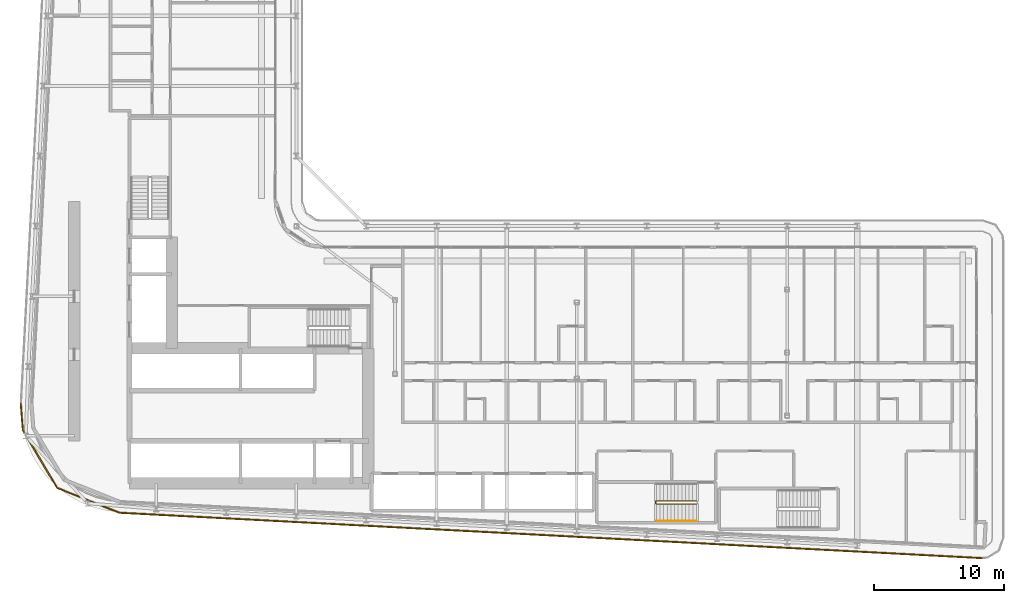
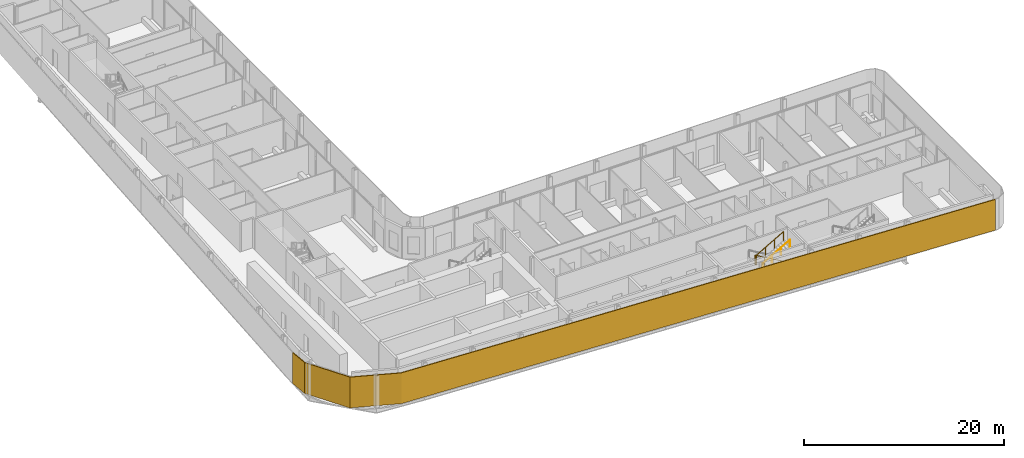
# One storey, part 24 of 28: 2 railings, 1 shading device.
"""IFC4 building model written with IfcOpenShell, lengths in metres."""

from ifc_helpers import new_model, si_unit, direction, frame, origin, origin_2d, place, context, subcontext, project, spatial, polyline, circle, outline, extrude, material, layer, layer_set, type_object, element, save


model = new_model("IFC4")

# Units and contexts
model_context = context("Model", 3, precision=1e-05, world=origin(), true_north=direction((0.0, 1.0)))
body_context = subcontext(model_context, "Body", "Model", "MODEL_VIEW")
ifc_project = project(units=[si_unit("LENGTHUNIT", "METRE"), si_unit("AREAUNIT", "SQUARE_METRE"), si_unit("VOLUMEUNIT", "CUBIC_METRE"), si_unit("PLANEANGLEUNIT", "RADIAN"), si_unit("MASSUNIT", "GRAM", prefix="KILO")], contexts=[model_context])

# Site, building, storey
site_placement = place(None, origin())
site = spatial("IfcSite", under=ifc_project, at=site_placement, CompositionType="ELEMENT")
building_placement = place(site_placement, origin())
building = spatial("IfcBuilding", under=site, at=building_placement, Name="Kheshtan School and Residences Tower", CompositionType="ELEMENT")
storey_placement = place(building_placement, frame((0.0, 0.0, 140.89990234375)))
storey = spatial("IfcBuildingStorey", under=building, at=storey_placement, Name="L33", CompositionType="ELEMENT", Elevation=140.89990234375)

# Shading device
ifc_material_1 = material(Name="Terracotta baguette, extruded ceramic", Category="masonry")
ifc_layer = layer(ifc_material_1, 0.10009765625)
ifc_layer_set = layer_set([ifc_layer], Name="Ledge screen, terracotta baguettes")
shading_device_type = type_object("IfcShadingDeviceType", Name="Ledge screen, terracotta baguettes", PredefinedType="USERDEFINED", material=ifc_layer_set)
shading_device_placement = place(storey_placement, origin())
element("IfcShadingDevice", 1, at=shading_device_placement, inside=storey, type_object=shading_device_type, Name="Screen L33 3", ObjectType="BAGUETTE", PredefinedType="USERDEFINED", context=body_context, shape_type="SweptSolid", body=[
    extrude(outline(polyline([(100.4208984375, 20.0830078125), (33.989013671875, 23.580078125), (29.2119140625, 25.486083984375), (26.583984375, 29.906982421875), (26.419921875, 31.989013671875), (26.320068359375, 31.98095703125), (26.486083984375, 29.8759765625), (29.14306640625, 25.406005859375), (33.967041015625, 23.48095703125), (100.416015625, 19.98291015625), (100.4208984375, 20.0830078125)])), origin(), (0.0, 0.0, 1.0), 3.75),
])

# Railings
ifc_material_2 = material(Name="Stainless steel balustrade", Category="steel")
railing_type_1 = type_object("IfcRailingType", Name="Stair guard 1100", PredefinedType="GUARDRAIL", material=ifc_material_2)
railing_1_placement = place(storey_placement, frame((78.409912109375, 24.449951171875, 0.16259765625)))
element("IfcRailing", 2, at=railing_1_placement, inside=storey, type_object=railing_type_1, Name="L33 ST5 stair guard 1", PredefinedType="GUARDRAIL", context=body_context, shape_type="SweptSolid", body=[
    extrude(circle(Radius=0.02392578125, at=origin_2d()), frame((0.0, 0.0, 1.076171875), z_axis=(-0.864873446163, 0.0, 0.501989962173), x_axis=(0.0, -1.0, 0.0)), (0.0, 0.0, 1.0), 3.56103515625),
    extrude(circle(Radius=0.02392578125, at=origin_2d()), frame((-3.079833984375, 0.0, 2.86376953125), z_axis=(-0.707106781187, -0.707106781187, 0.0), x_axis=(0.707106781187, -0.707106781187, 0.0)), (0.0, 0.0, 1.0), 0.07080078125),
    extrude(circle(Radius=0.02392578125, at=origin_2d()), frame((-3.1298828125, -0.050048828125, 2.86376953125), z_axis=(0.0, -1.0, 0.0), x_axis=(1.0, 0.0, 0.0)), (0.0, 0.0, 1.0), 0.14990234375),
    extrude(circle(Radius=0.02392578125, at=origin_2d()), frame((-3.1298828125, -0.199951171875, 2.86376953125), z_axis=(0.282583949758, -0.282583949758, 0.916674763849), x_axis=(0.707106781187, 0.707106781187, 0.0)), (0.0, 0.0, 1.0), 0.177001953125),
    extrude(circle(Radius=0.02392578125, at=origin_2d()), frame((-3.079833984375, -0.25, 3.02587890625), z_axis=(0.864873446163, 0.0, 0.501989962173), x_axis=(0.0, 1.0, 0.0)), (0.0, 0.0, 1.0), 3.56103515625),
    extrude(circle(Radius=0.02099609375, at=origin_2d()), origin(), (0.0, 0.0, 1.0), 1.052001953125),
    extrude(circle(Radius=0.02099609375, at=origin_2d()), frame((-1.026611328125, 0.0, 0.595947265625)), (0.0, 0.0, 1.0), 1.052001953125),
    extrude(circle(Radius=0.02099609375, at=origin_2d()), frame((-2.05322265625, 0.0, 1.191650390625)), (0.0, 0.0, 1.0), 1.052001953125),
    extrude(circle(Radius=0.02099609375, at=origin_2d()), frame((-3.079833984375, 0.0, 1.78759765625)), (0.0, 0.0, 1.0), 1.052001953125),
    extrude(circle(Radius=0.02099609375, at=origin_2d()), frame((-3.1298828125, -0.050048828125, 1.78759765625)), (0.0, 0.0, 1.0), 1.052001953125),
    extrude(circle(Radius=0.02099609375, at=origin_2d()), frame((-3.1298828125, -0.199951171875, 1.78759765625)), (0.0, 0.0, 1.0), 1.052001953125),
    extrude(circle(Radius=0.02099609375, at=origin_2d()), frame((-3.079833984375, -0.25, 1.949951171875)), (0.0, 0.0, 1.0), 1.052001953125),
    extrude(circle(Radius=0.02099609375, at=origin_2d()), frame((-2.05322265625, -0.25, 2.5458984375)), (0.0, 0.0, 1.0), 1.052001953125),
    extrude(circle(Radius=0.02099609375, at=origin_2d()), frame((-1.026611328125, -0.25, 3.1416015625)), (0.0, 0.0, 1.0), 1.052001953125),
    extrude(circle(Radius=0.02099609375, at=origin_2d()), frame((0.0, -0.25, 3.737548828125)), (0.0, 0.0, 1.0), 1.052001953125),
])
ifc_material_3 = material(Name="Stainless steel handrail", Category="steel")
railing_type_2 = type_object("IfcRailingType", Name="Stair handrail 900", PredefinedType="HANDRAIL", material=ifc_material_3)
railing_2_placement = place(storey_placement, frame((75.330078125, 22.89990234375, 2.112548828125)))
element("IfcRailing", 3, at=railing_2_placement, inside=storey, type_object=railing_type_2, Name="L33 ST5 stair handrail 2", PredefinedType="HANDRAIL", context=body_context, shape_type="SweptSolid", body=[
    extrude(circle(Radius=0.02392578125, at=origin_2d()), frame((0.0, 0.0, 0.8759765625), z_axis=(0.864873446163, 0.0, 0.501989962173), x_axis=(0.0, 1.0, 0.0)), (0.0, 0.0, 1.0), 3.56103515625),
    extrude(circle(Radius=0.02099609375, at=origin_2d()), origin(), (0.0, 0.0, 1.0), 0.851806640625),
    extrude(circle(Radius=0.02099609375, at=origin_2d()), frame((1.026611328125, 0.0, 0.595947265625)), (0.0, 0.0, 1.0), 0.851806640625),
    extrude(circle(Radius=0.02099609375, at=origin_2d()), frame((2.05322265625, 0.0, 1.191650390625)), (0.0, 0.0, 1.0), 0.851806640625),
    extrude(circle(Radius=0.02099609375, at=origin_2d()), frame((3.079833984375, 0.0, 1.78759765625)), (0.0, 0.0, 1.0), 0.851806640625),
])

save(model, "model.ifc")
